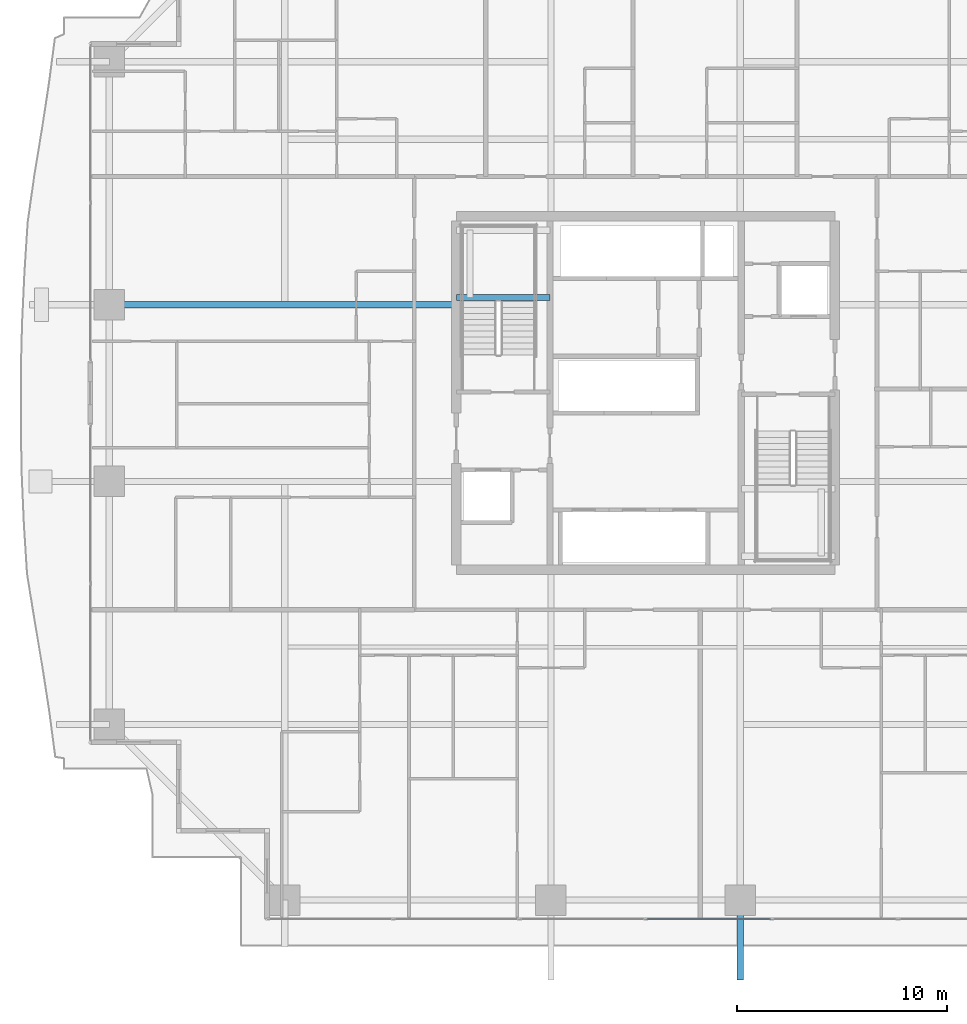
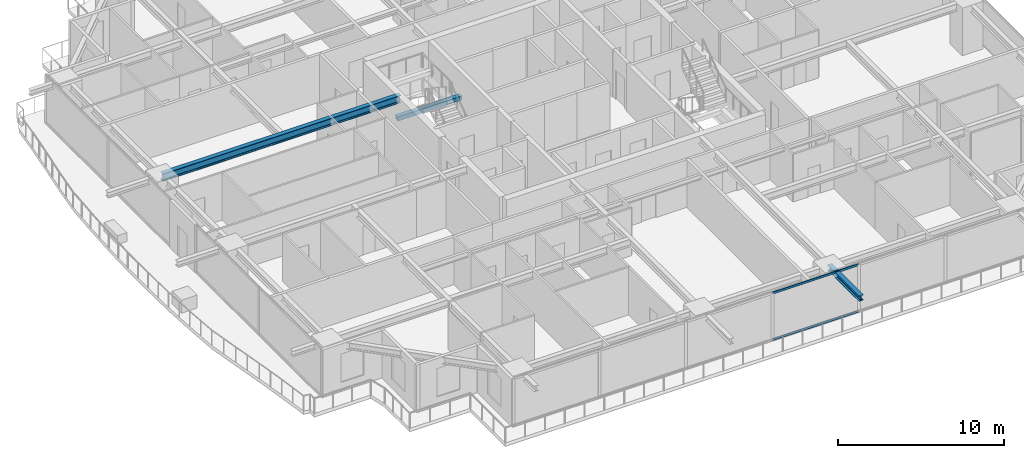
# One storey, part 9 of 34: 3 beams, 2 members, 1 element without a shape of its own.
"""IFC4 building model written with IfcOpenShell, lengths in metres."""

from ifc_helpers import new_model, si_unit, direction, frame, origin, origin_2d, place, context, subcontext, project, spatial, rectangle, hollow_rectangle, i_section, extrude, source, transform, mapped, material, layer, layer_set, material_profile, profile_set, type_object, element, aggregate, save


model = new_model("IFC4")

# Units and contexts
model_context = context("Model", 3, precision=1e-05, world=origin(), true_north=direction((0.0, 1.0)))
body_context = subcontext(model_context, "Body", "Model", "MODEL_VIEW")
ifc_project = project(units=[si_unit("LENGTHUNIT", "METRE"), si_unit("AREAUNIT", "SQUARE_METRE"), si_unit("VOLUMEUNIT", "CUBIC_METRE"), si_unit("PLANEANGLEUNIT", "RADIAN"), si_unit("MASSUNIT", "GRAM", prefix="KILO")], contexts=[model_context])

# Site, building, storey
site_placement = place(None, origin())
site = spatial("IfcSite", under=ifc_project, at=site_placement, CompositionType="ELEMENT")
building_placement = place(site_placement, origin())
building = spatial("IfcBuilding", under=site, at=building_placement, Name="Serunith Strait Residences", CompositionType="ELEMENT")
storey_placement = place(building_placement, frame((0.0, 0.0, 101.699951171875)))
storey = spatial("IfcBuildingStorey", under=building, at=storey_placement, Name="L25", CompositionType="ELEMENT", Elevation=101.699951171875)

# Beams
ifc_material_1 = material(Name="Steel S355J2", Category="steel")
ifc_material_profile_1 = material_profile(ifc_material_1, i_section(OverallWidth=0.300048828125, OverallDepth=0.550048828125, WebThickness=0.014892578125, FlangeThickness=0.029052734375, FilletRadius=0.027099609375, at=origin_2d()), Name="HEB 550")
ifc_profile_set_1 = profile_set([ifc_material_profile_1], Name="Steel S355J2")
beam_type_1 = type_object("IfcBeamType", Name="BM-HEB550", PredefinedType="BEAM", material=ifc_profile_set_1)
shared_shape_1 = source(origin(), body_context, "Body", "SweptSolid", [
    extrude(i_section(OverallWidth=0.300048828125, OverallDepth=0.550048828125, WebThickness=0.014892578125, FlangeThickness=0.029052734375, FilletRadius=0.027099609375, at=origin_2d()), origin(), (0.0, 0.0, 1.0), 16.5),
])
beam_1_placement = place(storey_placement, frame((23.39990234375, 29.39990234375, 3.212158203125), z_axis=(-1.0, 0.0, 0.0), x_axis=(0.0, -1.0, 0.0)))
element("IfcBeam", 1, at=beam_1_placement, inside=storey, type_object=beam_type_1, Name="L25 Primary Floor Girder TC-W3", PredefinedType="BEAM", context=body_context, shape_type="MappedRepresentation", body=[
    mapped(shared_shape_1, transform((0.0, 0.0, 0.0), scale=1.0)),
])
ifc_material_profile_2 = material_profile(ifc_material_1, i_section(OverallWidth=0.300048828125, OverallDepth=0.39990234375, WebThickness=0.013427734375, FlangeThickness=0.02392578125, FilletRadius=0.027099609375, at=origin_2d()), Name="HEB 400")
ifc_profile_set_2 = profile_set([ifc_material_profile_2], Name="Steel S355J2")
beam_type_2 = type_object("IfcBeamType", Name="BM-HEB400", PredefinedType="BEAM", material=ifc_profile_set_2)
shared_shape_2 = source(origin(), body_context, "Body", "SweptSolid", [
    extrude(i_section(OverallWidth=0.300048828125, OverallDepth=0.39990234375, WebThickness=0.013427734375, FlangeThickness=0.02392578125, FilletRadius=0.027099609375, at=origin_2d()), origin(), (0.0, 0.0, 1.0), 3.800048828125),
])
beam_2_placement = place(storey_placement, frame((36.89990234375, 1.10009765625, 3.257080078125), z_axis=(0.0, -1.0, 0.0), x_axis=(1.0, 0.0, 0.0)))
element("IfcBeam", 2, at=beam_2_placement, inside=storey, type_object=beam_type_2, Name="L26 Cantilevered Balcony Rib TC-S3", PredefinedType="BEAM", context=body_context, shape_type="MappedRepresentation", body=[
    mapped(shared_shape_2, transform((0.0, 0.0, 0.0), scale=1.0)),
])
ifc_material_2 = material(Name="Concrete C60/75", Category="concrete")
ifc_material_profile_3 = material_profile(ifc_material_2, rectangle(XDim=0.300048828125, YDim=0.300048828125, at=origin_2d()), Name="RC 300x300")
ifc_profile_set_3 = profile_set([ifc_material_profile_3], Name="Concrete C60/75")
beam_type_3 = type_object("IfcBeamType", Name="BM-LAND-300x300", PredefinedType="BEAM", material=ifc_profile_set_3)
shared_shape_3 = source(origin(), body_context, "Body", "SweptSolid", [
    extrude(rectangle(XDim=0.300048828125, YDim=0.300048828125, at=origin_2d()), origin(), (0.0, 0.0, 1.0), 4.4501953125),
])
beam_3_placement = place(storey_placement, frame((23.39990234375, 29.75, 1.525146484375), z_axis=(1.0, 0.0, 0.0), x_axis=(0.0, 1.0, 0.0)))
element("IfcBeam", 3, at=beam_3_placement, inside=storey, type_object=beam_type_3, Name="L25 ST-1 Landing Support Beam 1", PredefinedType="BEAM", context=body_context, shape_type="MappedRepresentation", body=[
    mapped(shared_shape_3, transform((0.0, 0.0, 0.0), scale=1.0)),
])

# Curtain wall, members
ifc_material_3 = material(Name="Pale-Champagne Anodised Aluminium", Category="aluminium")
ifc_layer = layer(ifc_material_3, 0.199951171875, Name="Pale-Champagne Anodised Aluminium")
ifc_layer_set = layer_set([ifc_layer], Name="Pale-Champagne Anodised Aluminium")
curtain_wall_type = type_object("IfcCurtainWallType", Name="CW-SYS1", PredefinedType="NOTDEFINED", material=ifc_layer_set)
curtain_wall_placement = place(storey_placement, origin())
curtain_wall = element("IfcCurtainWall", 4, at=curtain_wall_placement, inside=storey, type_object=curtain_wall_type, Name="L25 S Unitised Fritted Curtain Wall", PredefinedType="NOTDEFINED")
ifc_material_profile_4 = material_profile(ifc_material_3, hollow_rectangle(XDim=0.06005859375, YDim=0.159912109375, WallThickness=0.00341796875, InnerFilletRadius=0.00537109375, OuterFilletRadius=0.0087890625, at=origin_2d()), Name="ALU 160x60x3.5")
ifc_profile_set_4 = profile_set([ifc_material_profile_4], Name="Pale-Champagne Anodised Aluminium")
member_type = type_object("IfcMemberType", Name="CW-SYS1-TRAN", PredefinedType="USERDEFINED", material=ifc_profile_set_4)
shared_shape_4 = source(origin(), body_context, "Body", "SweptSolid", [
    extrude(hollow_rectangle(XDim=0.06005859375, YDim=0.159912109375, WallThickness=0.00341796875, InnerFilletRadius=0.00537109375, OuterFilletRadius=0.0087890625, at=origin_2d()), origin(), (0.0, 0.0, 1.0), 5.929931640625),
])
member_1_placement = place(storey_placement, frame((32.43505859375, 0.199951171875, 0.030029296875), z_axis=(1.0, 0.0, 0.0), x_axis=(0.0, 1.0, 0.0)))
member_1 = element("IfcMember", 5, at=member_1_placement, type_object=member_type, Name="CW-1 transom 4.1", ObjectType="TRANSOM", PredefinedType="USERDEFINED", context=body_context, shape_type="MappedRepresentation", body=[
    mapped(shared_shape_4, transform((0.0, 0.0, 0.0), scale=1.0)),
])
member_2_placement = place(storey_placement, frame((32.43505859375, 0.199951171875, 3.445068359375), z_axis=(1.0, 0.0, 0.0), x_axis=(0.0, 1.0, 0.0)))
member_2 = element("IfcMember", 6, at=member_2_placement, type_object=member_type, Name="CW-1 transom 4.2", ObjectType="TRANSOM", PredefinedType="USERDEFINED", context=body_context, shape_type="MappedRepresentation", body=[
    mapped(shared_shape_4, transform((0.0, 0.0, 0.0), scale=1.0)),
])
aggregate(curtain_wall, [member_1, member_2])

save(model, "model.ifc")
